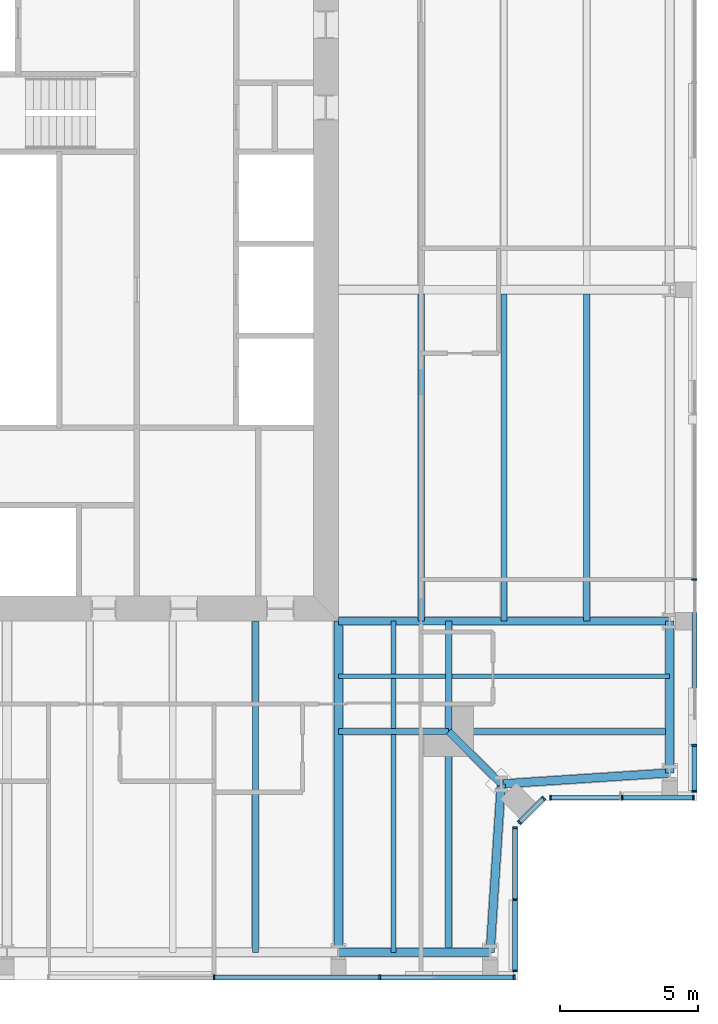
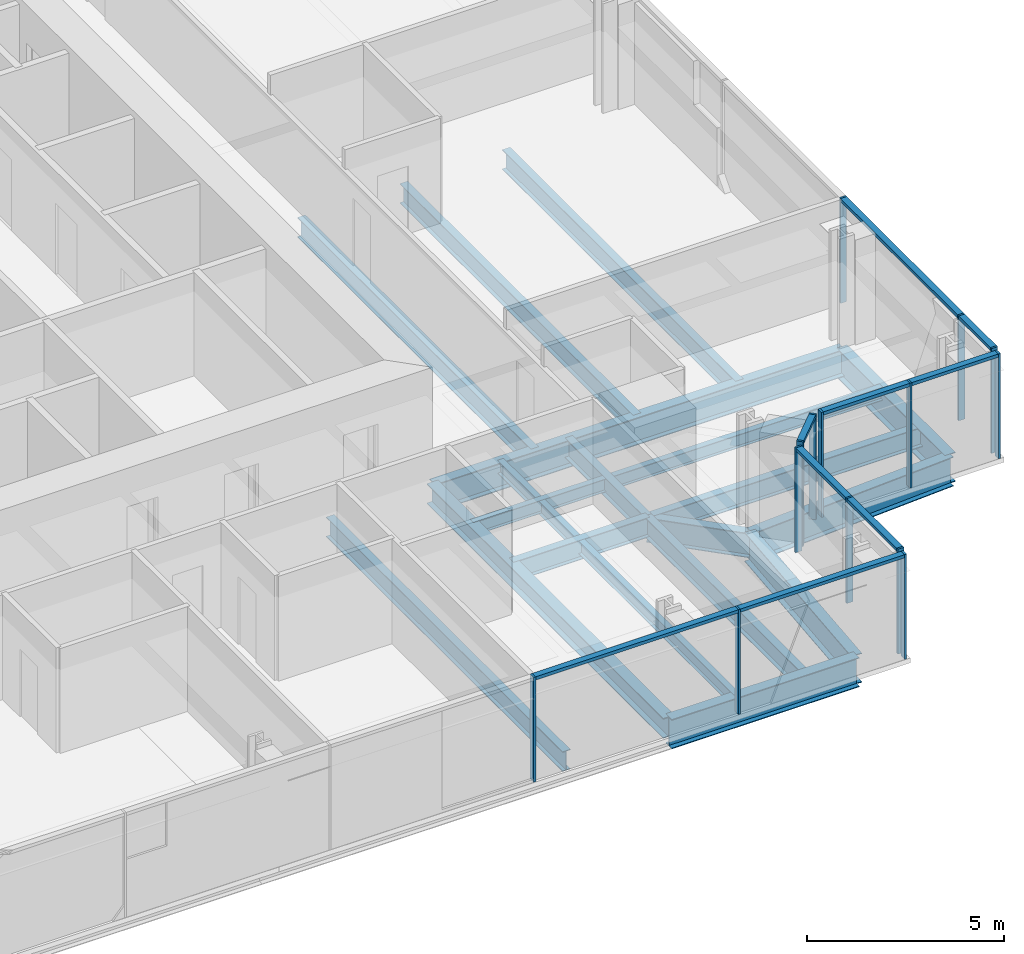
# One storey, part 5 of 20: 23 members, 20 beams, 5 elements without a shape of their own.
"""IFC4 building model written with IfcOpenShell, lengths in metres."""

from ifc_helpers import new_model, si_unit, direction, frame, origin, origin_2d, place, context, subcontext, project, spatial, rectangle, i_section, extrude, material, material_profile, profile_set, type_object, element, aggregate, save


model = new_model("IFC4")

# Units and contexts
model_context = context("Model", 3, precision=1e-05, world=origin(), true_north=direction((0.0, 1.0)))
body_context = subcontext(model_context, "Body", "Model", "MODEL_VIEW")
ifc_project = project(units=[si_unit("LENGTHUNIT", "METRE"), si_unit("AREAUNIT", "SQUARE_METRE"), si_unit("VOLUMEUNIT", "CUBIC_METRE"), si_unit("PLANEANGLEUNIT", "RADIAN"), si_unit("MASSUNIT", "GRAM", prefix="KILO")], contexts=[model_context])

# Site, building, storey
site_placement = place(None, origin())
site = spatial("IfcSite", under=ifc_project, at=site_placement, CompositionType="ELEMENT")
building_placement = place(site_placement, origin())
building = spatial("IfcBuilding", under=site, at=building_placement, Name="Fenwick Lantern Interchange", CompositionType="ELEMENT")
storey_placement = place(building_placement, frame((0.0, 0.0, 279.800048828125)))
storey = spatial("IfcBuildingStorey", under=building, at=storey_placement, Name="L67", CompositionType="ELEMENT", Elevation=279.800048828125)

# Beams
ifc_material_1 = material(Name="Steel ASTM A992 Grade 50", Category="steel")
ifc_material_profile_1 = material_profile(ifc_material_1, i_section(OverallWidth=0.3046875, OverallDepth=0.911865234375, WebThickness=0.015869140625, FlangeThickness=0.02392578125, at=origin_2d()), Name="W36X150")
ifc_profile_set_1 = profile_set([ifc_material_profile_1], Name="Steel ASTM A992 Grade 50")
beam_type_1 = type_object("IfcBeamType", Name="EDGE BEAM W36X150", PredefinedType="SPANDREL", material=ifc_profile_set_1)
beam_1_placement = place(storey_placement, frame((37.0, 1.0, -0.60595703125), z_axis=(1.0, 0.0, 0.0), x_axis=(0.0, 1.0, 0.0)))
element("IfcBeam", 1, at=beam_1_placement, inside=storey, type_object=beam_type_1, Name="L67/FR/S/EB4", PredefinedType="SPANDREL", context=body_context, shape_type="SweptSolid", body=[
    extrude(i_section(OverallWidth=0.3046875, OverallDepth=0.911865234375, WebThickness=0.015869140625, FlangeThickness=0.02392578125, at=origin_2d()), origin(), (0.0, 0.0, 1.0), 5.5),
])
for number, where, z_axis, x_axis, name in (
    (2, (42.5, 1.0, -0.60595703125), (0.065416293237, 0.997858060337, 0.0), (-0.997858060337, 0.065416293237, 0.0), "L67/FR/S/EBR1"),
    (3, (42.89990234375, 7.10009765625, -0.60595703125), (0.997858060337, 0.065416293237, 0.0), (-0.065416293237, 0.997858060337, 0.0), "L67/FR/S/EBR2"),
):
    element("IfcBeam", number, at=place(storey_placement, frame(where, z_axis=z_axis, x_axis=x_axis)), inside=storey, type_object=beam_type_1, Name=name, PredefinedType="SPANDREL", context=body_context, shape_type="SweptSolid", body=[
        extrude(i_section(OverallWidth=0.3046875, OverallDepth=0.911865234375, WebThickness=0.015869140625, FlangeThickness=0.02392578125, at=origin_2d()), origin(), (0.0, 0.0, 1.0), 6.11328125),
    ])
beam_2_placement = place(storey_placement, frame((49.0, 7.5, -0.60595703125), z_axis=(0.0, 1.0, 0.0), x_axis=(-1.0, 0.0, 0.0)))
element("IfcBeam", 4, at=beam_2_placement, inside=storey, type_object=beam_type_1, Name="L67/FR/E/EB1", PredefinedType="SPANDREL", context=body_context, shape_type="SweptSolid", body=[
    extrude(i_section(OverallWidth=0.3046875, OverallDepth=0.911865234375, WebThickness=0.015869140625, FlangeThickness=0.02392578125, at=origin_2d()), origin(), (0.0, 0.0, 1.0), 5.5),
])
ifc_material_profile_2 = material_profile(ifc_material_1, i_section(OverallWidth=0.22900390625, OverallDepth=0.612060546875, WebThickness=0.011962890625, FlangeThickness=0.01953125, at=origin_2d()), Name="W24X84")
ifc_profile_set_2 = profile_set([ifc_material_profile_2], Name="Steel ASTM A992 Grade 50")
beam_type_2 = type_object("IfcBeamType", Name="FLOOR BEAM W24X84", PredefinedType="BEAM", material=ifc_profile_set_2)
beam_3_placement = place(storey_placement, frame((34.0, 1.0, -0.4560546875), z_axis=(0.0, 1.0, 0.0), x_axis=(-1.0, 0.0, 0.0)))
element("IfcBeam", 5, at=beam_3_placement, inside=storey, type_object=beam_type_2, Name="L67/FR/S/R08", PredefinedType="BEAM", context=body_context, shape_type="SweptSolid", body=[
    extrude(i_section(OverallWidth=0.22900390625, OverallDepth=0.612060546875, WebThickness=0.011962890625, FlangeThickness=0.01953125, at=origin_2d()), origin(), (0.0, 0.0, 1.0), 12.0),
])
for number, where, z_axis, x_axis, name in (
    (6, (46.0, 13.0, -0.4560546875), (0.0, 1.0, 0.0), (-1.0, 0.0, 0.0), "L67/FR/E/B01"),
    (7, (43.0, 13.0, -0.4560546875), (0.0, 1.0, 0.0), (-1.0, 0.0, 0.0), "L67/FR/E/B02"),
    (8, (40.0, 13.0, -0.4560546875), (0.0, 1.0, 0.0), (-1.0, 0.0, 0.0), "L67/FR/E/B03"),
):
    element("IfcBeam", number, at=place(storey_placement, frame(where, z_axis=z_axis, x_axis=x_axis)), inside=storey, type_object=beam_type_2, Name=name, PredefinedType="BEAM", context=body_context, shape_type="SweptSolid", body=[
        extrude(i_section(OverallWidth=0.22900390625, OverallDepth=0.612060546875, WebThickness=0.011962890625, FlangeThickness=0.01953125, at=origin_2d()), origin(), (0.0, 0.0, 1.0), 11.844970703125),
    ])

# Curtain wall, members
ifc_material_2 = material(Name="Aluminium curtain wall frame", Category="aluminium")
curtain_wall_type = type_object("IfcCurtainWallType", Name="HOTEL CURTAIN WALL", PredefinedType="USERDEFINED", material=ifc_material_2)
curtain_wall_1_placement = place(storey_placement, origin())
curtain_wall_1 = element("IfcCurtainWall", 9, at=curtain_wall_1_placement, inside=storey, type_object=curtain_wall_type, Name="Hotel curtain wall 01", ObjectType="HOTEL CURTAIN WALL", PredefinedType="USERDEFINED")
ifc_material_3 = material(Name="Aluminium extrusion", Category="aluminium")
ifc_material_profile_3 = material_profile(ifc_material_3, rectangle(XDim=0.179931640625, YDim=0.06005859375, at=origin_2d()), Name="HOTEL CURTAIN WALL MULLION 60 X 180")
ifc_profile_set_3 = profile_set([ifc_material_profile_3], Name="Aluminium extrusion")
member_type_1 = type_object("IfcMemberType", Name="HOTEL CURTAIN WALL MULLION 60 X 180", PredefinedType="MULLION", material=ifc_profile_set_3)
member_1_placement = place(storey_placement, frame((32.5, 0.10009765625, 0.0), z_axis=(0.0, 0.0, 1.0), x_axis=(0.0, 1.0, 0.0)))
member_1 = element("IfcMember", 10, at=member_1_placement, type_object=member_type_1, Name="L67/CW/01/M05", PredefinedType="MULLION", context=body_context, shape_type="SweptSolid", body=[
    extrude(rectangle(XDim=0.179931640625, YDim=0.06005859375, at=origin_2d()), origin(), (0.0, 0.0, 1.0), 3.25),
])
member_2_placement = place(storey_placement, frame((38.5, 0.10009765625, 0.0), z_axis=(0.0, 0.0, 1.0), x_axis=(0.0, 1.0, 0.0)))
member_2 = element("IfcMember", 11, at=member_2_placement, type_object=member_type_1, Name="L67/CW/01/M06", PredefinedType="MULLION", context=body_context, shape_type="SweptSolid", body=[
    extrude(rectangle(XDim=0.179931640625, YDim=0.06005859375, at=origin_2d()), origin(), (0.0, 0.0, 1.0), 3.25),
])
member_3_placement = place(storey_placement, frame((43.3701171875, 0.10009765625, 0.0), z_axis=(0.0, 0.0, 1.0), x_axis=(0.0, 1.0, 0.0)))
member_3 = element("IfcMember", 12, at=member_3_placement, type_object=member_type_1, Name="L67/CW/01/M07", PredefinedType="MULLION", context=body_context, shape_type="SweptSolid", body=[
    extrude(rectangle(XDim=0.179931640625, YDim=0.06005859375, at=origin_2d()), origin(), (0.0, 0.0, 1.0), 3.25),
])

curtain_wall_2_placement = place(storey_placement, origin())
curtain_wall_2 = element("IfcCurtainWall", 13, at=curtain_wall_2_placement, inside=storey, type_object=curtain_wall_type, Name="Hotel curtain wall 02", ObjectType="HOTEL CURTAIN WALL", PredefinedType="USERDEFINED")
member_4_placement = place(storey_placement, frame((43.39990234375, 0.330078125, 0.0), z_axis=(0.0, 0.0, 1.0), x_axis=(-1.0, 0.0, 0.0)))
member_4 = element("IfcMember", 14, at=member_4_placement, type_object=member_type_1, Name="L67/CW/02/M00", PredefinedType="MULLION", context=body_context, shape_type="SweptSolid", body=[
    extrude(rectangle(XDim=0.179931640625, YDim=0.06005859375, at=origin_2d()), origin(), (0.0, 0.0, 1.0), 3.25),
])
member_5_placement = place(storey_placement, frame((43.39990234375, 2.920654296875, 0.0), z_axis=(0.0, 0.0, 1.0), x_axis=(-1.0, 0.0, 0.0)))
member_5 = element("IfcMember", 15, at=member_5_placement, type_object=member_type_1, Name="L67/CW/02/M01", PredefinedType="MULLION", context=body_context, shape_type="SweptSolid", body=[
    extrude(rectangle(XDim=0.179931640625, YDim=0.06005859375, at=origin_2d()), origin(), (0.0, 0.0, 1.0), 3.25),
])
member_6_placement = place(storey_placement, frame((43.39990234375, 5.511474609375, 0.0), z_axis=(0.0, 0.0, 1.0), x_axis=(-1.0, 0.0, 0.0)))
member_6 = element("IfcMember", 16, at=member_6_placement, type_object=member_type_1, Name="L67/CW/02/M02", PredefinedType="MULLION", context=body_context, shape_type="SweptSolid", body=[
    extrude(rectangle(XDim=0.179931640625, YDim=0.06005859375, at=origin_2d()), origin(), (0.0, 0.0, 1.0), 3.25),
])

curtain_wall_3_placement = place(storey_placement, origin())
curtain_wall_3 = element("IfcCurtainWall", 17, at=curtain_wall_3_placement, inside=storey, type_object=curtain_wall_type, Name="Hotel curtain wall 03", ObjectType="HOTEL CURTAIN WALL", PredefinedType="USERDEFINED")
member_7_placement = place(storey_placement, frame((43.562744140625, 5.7041015625, 0.0), z_axis=(0.0, 0.0, 1.0), x_axis=(-0.707106781187, 0.707106781187, 0.0)))
member_7 = element("IfcMember", 18, at=member_7_placement, type_object=member_type_1, Name="L67/CW/03/M00", PredefinedType="MULLION", context=body_context, shape_type="SweptSolid", body=[
    extrude(rectangle(XDim=0.179931640625, YDim=0.06005859375, at=origin_2d()), origin(), (0.0, 0.0, 1.0), 3.25),
])
member_8_placement = place(storey_placement, frame((44.437255859375, 6.578857421875, 0.0), z_axis=(0.0, 0.0, 1.0), x_axis=(-0.707106781187, 0.707106781187, 0.0)))
member_8 = element("IfcMember", 19, at=member_8_placement, type_object=member_type_1, Name="L67/CW/03/M01", PredefinedType="MULLION", context=body_context, shape_type="SweptSolid", body=[
    extrude(rectangle(XDim=0.179931640625, YDim=0.06005859375, at=origin_2d()), origin(), (0.0, 0.0, 1.0), 3.25),
])

curtain_wall_4_placement = place(storey_placement, origin())
curtain_wall_4 = element("IfcCurtainWall", 20, at=curtain_wall_4_placement, inside=storey, type_object=curtain_wall_type, Name="Hotel curtain wall 04", ObjectType="HOTEL CURTAIN WALL", PredefinedType="USERDEFINED")
member_9_placement = place(storey_placement, frame((44.6884765625, 6.60009765625, 0.0), z_axis=(0.0, 0.0, 1.0), x_axis=(0.0, 1.0, 0.0)))
member_9 = element("IfcMember", 21, at=member_9_placement, type_object=member_type_1, Name="L67/CW/04/M00", PredefinedType="MULLION", context=body_context, shape_type="SweptSolid", body=[
    extrude(rectangle(XDim=0.179931640625, YDim=0.06005859375, at=origin_2d()), origin(), (0.0, 0.0, 1.0), 3.25),
])
member_10_placement = place(storey_placement, frame((47.279296875, 6.60009765625, 0.0), z_axis=(0.0, 0.0, 1.0), x_axis=(0.0, 1.0, 0.0)))
member_10 = element("IfcMember", 22, at=member_10_placement, type_object=member_type_1, Name="L67/CW/04/M01", PredefinedType="MULLION", context=body_context, shape_type="SweptSolid", body=[
    extrude(rectangle(XDim=0.179931640625, YDim=0.06005859375, at=origin_2d()), origin(), (0.0, 0.0, 1.0), 3.25),
])
member_11_placement = place(storey_placement, frame((49.8701171875, 6.60009765625, 0.0), z_axis=(0.0, 0.0, 1.0), x_axis=(0.0, 1.0, 0.0)))
member_11 = element("IfcMember", 23, at=member_11_placement, type_object=member_type_1, Name="L67/CW/04/M02", PredefinedType="MULLION", context=body_context, shape_type="SweptSolid", body=[
    extrude(rectangle(XDim=0.179931640625, YDim=0.06005859375, at=origin_2d()), origin(), (0.0, 0.0, 1.0), 3.25),
])

curtain_wall_5_placement = place(storey_placement, origin())
curtain_wall_5 = element("IfcCurtainWall", 24, at=curtain_wall_5_placement, inside=storey, type_object=curtain_wall_type, Name="Hotel curtain wall 05", ObjectType="HOTEL CURTAIN WALL", PredefinedType="USERDEFINED")
member_12_placement = place(storey_placement, frame((49.89990234375, 6.830078125, 0.0), z_axis=(0.0, 0.0, 1.0), x_axis=(-1.0, 0.0, 0.0)))
member_12 = element("IfcMember", 25, at=member_12_placement, type_object=member_type_1, Name="L67/CW/05/M00", PredefinedType="MULLION", context=body_context, shape_type="SweptSolid", body=[
    extrude(rectangle(XDim=0.179931640625, YDim=0.06005859375, at=origin_2d()), origin(), (0.0, 0.0, 1.0), 3.25),
])
member_13_placement = place(storey_placement, frame((49.89990234375, 8.5, 0.0), z_axis=(0.0, 0.0, 1.0), x_axis=(-1.0, 0.0, 0.0)))
member_13 = element("IfcMember", 26, at=member_13_placement, type_object=member_type_1, Name="L67/CW/05/M01", PredefinedType="MULLION", context=body_context, shape_type="SweptSolid", body=[
    extrude(rectangle(XDim=0.179931640625, YDim=0.06005859375, at=origin_2d()), origin(), (0.0, 0.0, 1.0), 3.25),
])
member_14_placement = place(storey_placement, frame((49.89990234375, 14.5, 0.0), z_axis=(0.0, 0.0, 1.0), x_axis=(-1.0, 0.0, 0.0)))
member_14 = element("IfcMember", 27, at=member_14_placement, type_object=member_type_1, Name="L67/CW/05/M02", PredefinedType="MULLION", context=body_context, shape_type="SweptSolid", body=[
    extrude(rectangle(XDim=0.179931640625, YDim=0.06005859375, at=origin_2d()), origin(), (0.0, 0.0, 1.0), 3.25),
])

# Member
ifc_material_profile_4 = material_profile(ifc_material_3, rectangle(XDim=0.179931640625, YDim=0.10009765625, at=origin_2d()), Name="HOTEL CURTAIN WALL TRANSOM 100 X 180")
ifc_profile_set_4 = profile_set([ifc_material_profile_4], Name="Aluminium extrusion")
member_type_2 = type_object("IfcMemberType", Name="HOTEL CURTAIN WALL TRANSOM 100 X 180", PredefinedType="MULLION", material=ifc_profile_set_4)
member_15_placement = place(storey_placement, frame((32.530029296875, 0.10009765625, 3.199951171875), z_axis=(1.0, 0.0, 0.0), x_axis=(0.0, 1.0, 0.0)))
member_15 = element("IfcMember", 28, at=member_15_placement, type_object=member_type_2, Name="L67/CW/01/T05", PredefinedType="MULLION", context=body_context, shape_type="SweptSolid", body=[
    extrude(rectangle(XDim=0.179931640625, YDim=0.10009765625, at=origin_2d()), origin(), (0.0, 0.0, 1.0), 5.93994140625),
])

member_16_placement = place(storey_placement, frame((38.530029296875, 0.10009765625, 3.199951171875), z_axis=(1.0, 0.0, 0.0), x_axis=(0.0, 1.0, 0.0)))
member_16 = element("IfcMember", 29, at=member_16_placement, type_object=member_type_2, Name="L67/CW/01/T06", PredefinedType="MULLION", context=body_context, shape_type="SweptSolid", body=[
    extrude(rectangle(XDim=0.179931640625, YDim=0.10009765625, at=origin_2d()), origin(), (0.0, 0.0, 1.0), 4.81005859375),
])

aggregate(curtain_wall_1, [member_1, member_2, member_3, member_15, member_16])

member_17_placement = place(storey_placement, frame((43.39990234375, 0.360107421875, 3.199951171875), z_axis=(0.0, 1.0, 0.0), x_axis=(-1.0, 0.0, 0.0)))
member_17 = element("IfcMember", 30, at=member_17_placement, type_object=member_type_2, Name="L67/CW/02/T00", PredefinedType="MULLION", context=body_context, shape_type="SweptSolid", body=[
    extrude(rectangle(XDim=0.179931640625, YDim=0.10009765625, at=origin_2d()), origin(), (0.0, 0.0, 1.0), 2.530517578125),
])

member_18_placement = place(storey_placement, frame((43.39990234375, 2.95068359375, 3.199951171875), z_axis=(0.0, 1.0, 0.0), x_axis=(-1.0, 0.0, 0.0)))
member_18 = element("IfcMember", 31, at=member_18_placement, type_object=member_type_2, Name="L67/CW/02/T01", PredefinedType="MULLION", context=body_context, shape_type="SweptSolid", body=[
    extrude(rectangle(XDim=0.179931640625, YDim=0.10009765625, at=origin_2d()), origin(), (0.0, 0.0, 1.0), 2.53076171875),
])

aggregate(curtain_wall_2, [member_4, member_5, member_6, member_17, member_18])

member_19_placement = place(storey_placement, frame((43.583740234375, 5.725341796875, 3.199951171875), z_axis=(0.707210470133, 0.707003077033, 0.0), x_axis=(-0.707003077033, 0.707210470133, 0.0)))
member_19 = element("IfcMember", 32, at=member_19_placement, type_object=member_type_2, Name="L67/CW/03/T00", PredefinedType="MULLION", context=body_context, shape_type="SweptSolid", body=[
    extrude(rectangle(XDim=0.179931640625, YDim=0.10009765625, at=origin_2d()), origin(), (0.0, 0.0, 1.0), 1.17724609375),
])

aggregate(curtain_wall_3, [member_7, member_8, member_19])

member_20_placement = place(storey_placement, frame((44.718505859375, 6.60009765625, 3.199951171875), z_axis=(1.0, 0.0, 0.0), x_axis=(0.0, 1.0, 0.0)))
member_20 = element("IfcMember", 33, at=member_20_placement, type_object=member_type_2, Name="L67/CW/04/T00", PredefinedType="MULLION", context=body_context, shape_type="SweptSolid", body=[
    extrude(rectangle(XDim=0.179931640625, YDim=0.10009765625, at=origin_2d()), origin(), (0.0, 0.0, 1.0), 2.53076171875),
])

member_21_placement = place(storey_placement, frame((47.309326171875, 6.60009765625, 3.199951171875), z_axis=(1.0, 0.0, 0.0), x_axis=(0.0, 1.0, 0.0)))
member_21 = element("IfcMember", 34, at=member_21_placement, type_object=member_type_2, Name="L67/CW/04/T01", PredefinedType="MULLION", context=body_context, shape_type="SweptSolid", body=[
    extrude(rectangle(XDim=0.179931640625, YDim=0.10009765625, at=origin_2d()), origin(), (0.0, 0.0, 1.0), 2.53076171875),
])

aggregate(curtain_wall_4, [member_9, member_10, member_11, member_20, member_21])

member_22_placement = place(storey_placement, frame((49.89990234375, 6.860107421875, 3.199951171875), z_axis=(0.0, 1.0, 0.0), x_axis=(-1.0, 0.0, 0.0)))
member_22 = element("IfcMember", 35, at=member_22_placement, type_object=member_type_2, Name="L67/CW/05/T00", PredefinedType="MULLION", context=body_context, shape_type="SweptSolid", body=[
    extrude(rectangle(XDim=0.179931640625, YDim=0.10009765625, at=origin_2d()), origin(), (0.0, 0.0, 1.0), 1.60986328125),
])

member_23_placement = place(storey_placement, frame((49.89990234375, 8.530029296875, 3.199951171875), z_axis=(0.0, 1.0, 0.0), x_axis=(-1.0, 0.0, 0.0)))
member_23 = element("IfcMember", 36, at=member_23_placement, type_object=member_type_2, Name="L67/CW/05/T01", PredefinedType="MULLION", context=body_context, shape_type="SweptSolid", body=[
    extrude(rectangle(XDim=0.179931640625, YDim=0.10009765625, at=origin_2d()), origin(), (0.0, 0.0, 1.0), 5.93994140625),
])

aggregate(curtain_wall_5, [member_12, member_13, member_14, member_22, member_23])

# Beams
ifc_material_profile_5 = material_profile(ifc_material_1, i_section(OverallWidth=0.177734375, OverallDepth=0.406494140625, WebThickness=0.0078125, FlangeThickness=0.012939453125, at=origin_2d()), Name="W16X40")
ifc_profile_set_5 = profile_set([ifc_material_profile_5], Name="Steel ASTM A992 Grade 50")
beam_type_3 = type_object("IfcBeamType", Name="INFILL BEAM W16X40", PredefinedType="JOIST", material=ifc_profile_set_5)
beam_4_placement = place(storey_placement, frame((49.0, 11.0, -0.353271484375), z_axis=(-1.0, 0.0, 0.0), x_axis=(0.0, -1.0, 0.0)))
element("IfcBeam", 37, at=beam_4_placement, inside=storey, type_object=beam_type_3, Name="L67/FR/E/J1", PredefinedType="JOIST", context=body_context, shape_type="SweptSolid", body=[
    extrude(i_section(OverallWidth=0.177734375, OverallDepth=0.406494140625, WebThickness=0.0078125, FlangeThickness=0.012939453125, at=origin_2d()), origin(), (0.0, 0.0, 1.0), 7.885498046875),
])
beam_5_placement = place(storey_placement, frame((40.885498046875, 11.0, -0.353271484375), z_axis=(-1.0, 0.0, 0.0), x_axis=(0.0, -1.0, 0.0)))
element("IfcBeam", 38, at=beam_5_placement, inside=storey, type_object=beam_type_3, Name="L67/FR/E/J2", PredefinedType="JOIST", context=body_context, shape_type="SweptSolid", body=[
    extrude(i_section(OverallWidth=0.177734375, OverallDepth=0.406494140625, WebThickness=0.0078125, FlangeThickness=0.012939453125, at=origin_2d()), origin(), (0.0, 0.0, 1.0), 3.885498046875),
])
beam_6_placement = place(storey_placement, frame((39.0, 1.0, -0.353271484375), z_axis=(0.0, 1.0, 0.0), x_axis=(-1.0, 0.0, 0.0)))
element("IfcBeam", 39, at=beam_6_placement, inside=storey, type_object=beam_type_3, Name="L67/FR/E/J3", PredefinedType="JOIST", context=body_context, shape_type="SweptSolid", body=[
    extrude(i_section(OverallWidth=0.177734375, OverallDepth=0.406494140625, WebThickness=0.0078125, FlangeThickness=0.012939453125, at=origin_2d()), origin(), (0.0, 0.0, 1.0), 7.885498046875),
])
beam_7_placement = place(storey_placement, frame((39.0, 9.114501953125, -0.353271484375), z_axis=(0.0, 1.0, 0.0), x_axis=(-1.0, 0.0, 0.0)))
element("IfcBeam", 40, at=beam_7_placement, inside=storey, type_object=beam_type_3, Name="L67/FR/E/J4", PredefinedType="JOIST", context=body_context, shape_type="SweptSolid", body=[
    extrude(i_section(OverallWidth=0.177734375, OverallDepth=0.406494140625, WebThickness=0.0078125, FlangeThickness=0.012939453125, at=origin_2d()), origin(), (0.0, 0.0, 1.0), 1.796630859375),
])
beam_8_placement = place(storey_placement, frame((39.0, 11.0888671875, -0.353271484375), z_axis=(0.0, 1.0, 0.0), x_axis=(-1.0, 0.0, 0.0)))
element("IfcBeam", 41, at=beam_8_placement, inside=storey, type_object=beam_type_3, Name="L67/FR/E/J5", PredefinedType="JOIST", context=body_context, shape_type="SweptSolid", body=[
    extrude(i_section(OverallWidth=0.177734375, OverallDepth=0.406494140625, WebThickness=0.0078125, FlangeThickness=0.012939453125, at=origin_2d()), origin(), (0.0, 0.0, 1.0), 1.9111328125),
])
ifc_material_profile_6 = material_profile(ifc_material_1, i_section(OverallWidth=0.22900390625, OverallDepth=0.612060546875, WebThickness=0.011962890625, FlangeThickness=0.01953125, at=origin_2d()), Name="W24X84")
ifc_profile_set_6 = profile_set([ifc_material_profile_6], Name="Steel ASTM A992 Grade 50")
beam_type_4 = type_object("IfcBeamType", Name="MEGA COLUMN BEAM W24X84", PredefinedType="BEAM", material=ifc_profile_set_6)
for number, where, z_axis, x_axis, name in (
    (42, (41.0, 9.0, -0.4560546875), (1.0, 0.0, 0.0), (0.0, 1.0, 0.0), "L67/FR/E/MB1"),
    (43, (41.0, 9.0, -0.4560546875), (0.0, -1.0, 0.0), (1.0, 0.0, 0.0), "L67/FR/E/MB2"),
):
    element("IfcBeam", number, at=place(storey_placement, frame(where, z_axis=z_axis, x_axis=x_axis)), inside=storey, type_object=beam_type_4, Name=name, PredefinedType="BEAM", context=body_context, shape_type="SweptSolid", body=[
        extrude(i_section(OverallWidth=0.22900390625, OverallDepth=0.612060546875, WebThickness=0.011962890625, FlangeThickness=0.01953125, at=origin_2d()), origin(), (0.0, 0.0, 1.0), 8.0),
    ])
for number, where, z_axis, x_axis, name in (
    (44, (41.0, 9.0, -0.4560546875), (0.0, 1.0, 0.0), (-1.0, 0.0, 0.0), "L67/FR/E/MB3"),
    (45, (41.0, 9.0, -0.4560546875), (-1.0, 0.0, 0.0), (0.0, -1.0, 0.0), "L67/FR/E/MB4"),
):
    element("IfcBeam", number, at=place(storey_placement, frame(where, z_axis=z_axis, x_axis=x_axis)), inside=storey, type_object=beam_type_4, Name=name, PredefinedType="BEAM", context=body_context, shape_type="SweptSolid", body=[
        extrude(i_section(OverallWidth=0.22900390625, OverallDepth=0.612060546875, WebThickness=0.011962890625, FlangeThickness=0.01953125, at=origin_2d()), origin(), (0.0, 0.0, 1.0), 4.0),
    ])
ifc_material_profile_7 = material_profile(ifc_material_1, i_section(OverallWidth=0.32763671875, OverallDepth=0.622314453125, WebThickness=0.015380859375, FlangeThickness=0.0244140625, at=origin_2d()), Name="W24X131")
ifc_profile_set_7 = profile_set([ifc_material_profile_7], Name="Steel ASTM A992 Grade 50")
beam_type_5 = type_object("IfcBeamType", Name="MOMENT-CONNECTED GIRDER W24X131", PredefinedType="BEAM", material=ifc_profile_set_7)
beam_9_placement = place(storey_placement, frame((37.0, 1.0, -0.461181640625), z_axis=(0.0, 1.0, 0.0), x_axis=(-1.0, 0.0, 0.0)))
element("IfcBeam", 46, at=beam_9_placement, inside=storey, type_object=beam_type_5, Name="L67/FR/S/R09", PredefinedType="BEAM", context=body_context, shape_type="SweptSolid", body=[
    extrude(i_section(OverallWidth=0.32763671875, OverallDepth=0.622314453125, WebThickness=0.015380859375, FlangeThickness=0.0244140625, at=origin_2d()), origin(), (0.0, 0.0, 1.0), 12.0),
])
ifc_material_profile_8 = material_profile(ifc_material_1, i_section(OverallWidth=0.2919921875, OverallDepth=0.845703125, WebThickness=0.015380859375, FlangeThickness=0.0244140625, at=origin_2d()), Name="W33X141")
ifc_profile_set_8 = profile_set([ifc_material_profile_8], Name="Steel ASTM A992 Grade 50")
beam_type_6 = type_object("IfcBeamType", Name="MOMENT-CONNECTED GIRDER W33X141", PredefinedType="BEAM", material=ifc_profile_set_8)
beam_10_placement = place(storey_placement, frame((49.0, 13.0, -0.572998046875), z_axis=(-1.0, 0.0, 0.0), x_axis=(0.0, -1.0, 0.0)))
element("IfcBeam", 47, at=beam_10_placement, inside=storey, type_object=beam_type_6, Name="L67/FR/E/R01", PredefinedType="BEAM", context=body_context, shape_type="SweptSolid", body=[
    extrude(i_section(OverallWidth=0.2919921875, OverallDepth=0.845703125, WebThickness=0.015380859375, FlangeThickness=0.0244140625, at=origin_2d()), origin(), (0.0, 0.0, 1.0), 12.0),
])
ifc_material_profile_9 = material_profile(ifc_material_1, i_section(OverallWidth=0.2666015625, OverallDepth=0.7568359375, WebThickness=0.013916015625, FlangeThickness=0.019287109375, at=origin_2d()), Name="W30X108")
ifc_profile_set_9 = profile_set([ifc_material_profile_9], Name="Steel ASTM A992 Grade 50")
beam_type_7 = type_object("IfcBeamType", Name="NOTCH BEAM W30X108", PredefinedType="BEAM", material=ifc_profile_set_9)
beam_11_placement = place(storey_placement, frame((41.0, 9.0, -0.528564453125), z_axis=(0.707106781187, -0.707106781187, 0.0), x_axis=(0.707106781187, 0.707106781187, 0.0)))
element("IfcBeam", 48, at=beam_11_placement, inside=storey, type_object=beam_type_7, Name="L67/FR/E/TG", PredefinedType="BEAM", context=body_context, shape_type="SweptSolid", body=[
    extrude(i_section(OverallWidth=0.2666015625, OverallDepth=0.7568359375, WebThickness=0.013916015625, FlangeThickness=0.019287109375, at=origin_2d()), origin(), (0.0, 0.0, 1.0), 2.686767578125),
])

save(model, "model.ifc")
